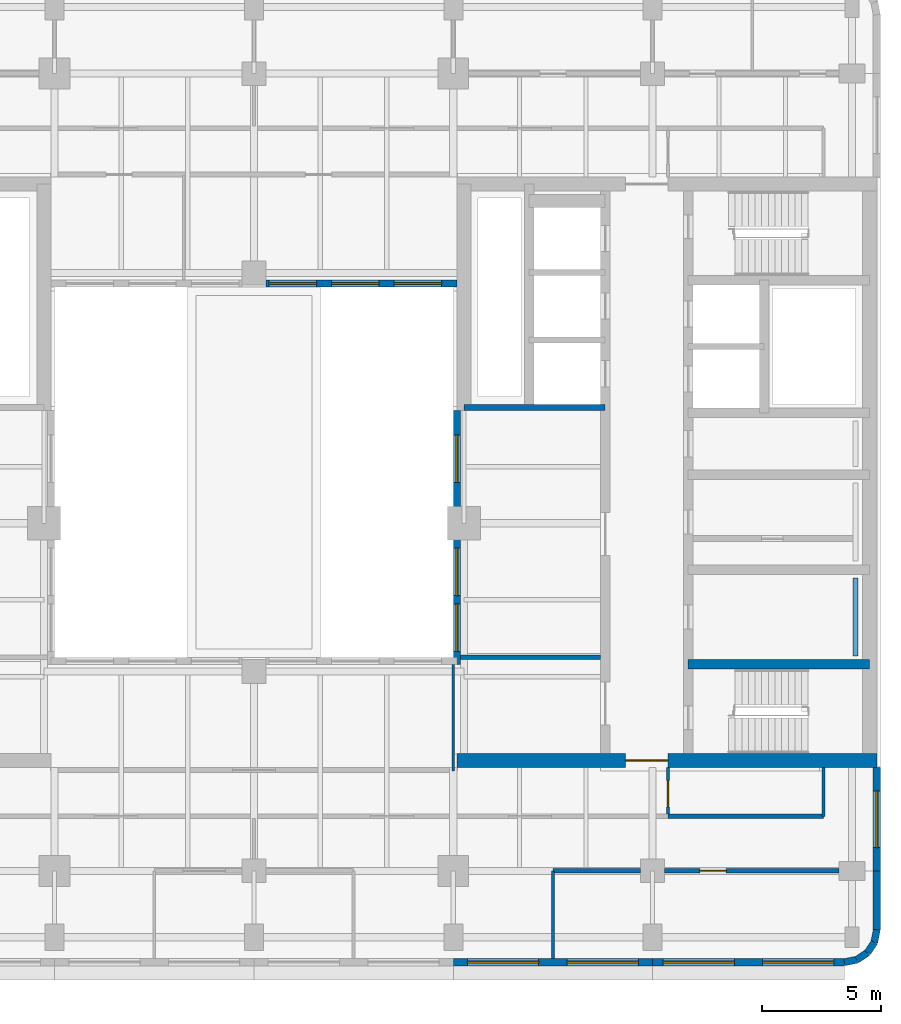
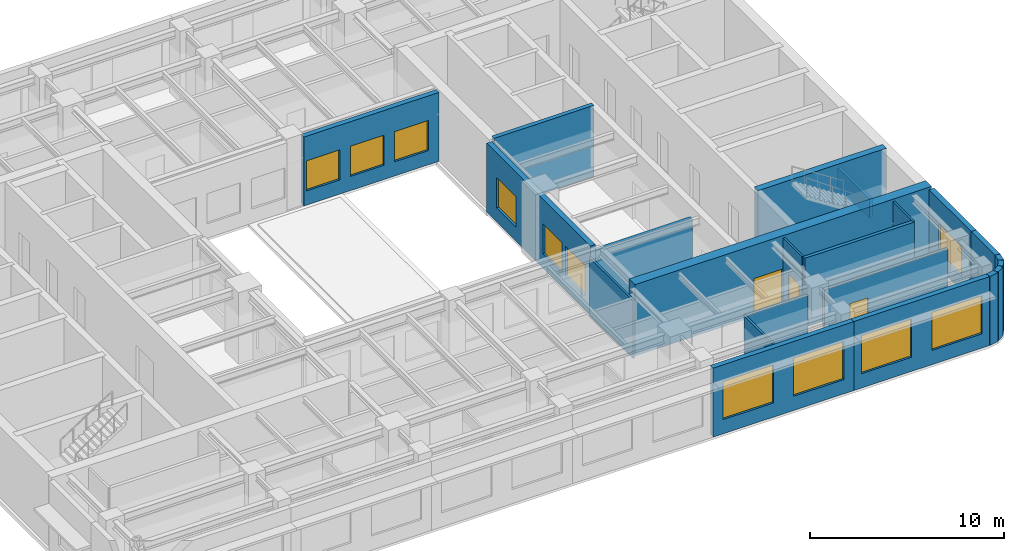
# One storey, part 5 of 11: 22 walls, 11 windows, 3 doors, 14 openings.
"""IFC4 building model written with IfcOpenShell, lengths in metres."""

from ifc_helpers import new_model, si_unit, direction, frame, frame_2d, origin, place, context, subcontext, project, spatial, rectangle, extrude, material, layer, layer_set, type_object, element, fill, save


model = new_model("IFC4")

# Units and contexts
model_context = context("Model", 3, precision=1e-05, world=origin(), true_north=direction((0.0, 1.0)))
body_context = subcontext(model_context, "Body", "Model", "MODEL_VIEW")
ifc_project = project(units=[si_unit("LENGTHUNIT", "METRE"), si_unit("AREAUNIT", "SQUARE_METRE"), si_unit("VOLUMEUNIT", "CUBIC_METRE"), si_unit("PLANEANGLEUNIT", "RADIAN"), si_unit("MASSUNIT", "GRAM", prefix="KILO")], contexts=[model_context])

# Site, building, storey
site_placement = place(None, origin())
site = spatial("IfcSite", under=ifc_project, at=site_placement, CompositionType="ELEMENT")
building_placement = place(site_placement, origin())
building = spatial("IfcBuilding", under=site, at=building_placement, Name="Claustro Exchange Tower", CompositionType="ELEMENT")
storey_placement = place(building_placement, frame((0.0, 0.0, 254.699951171875)))
storey = spatial("IfcBuildingStorey", under=building, at=storey_placement, Name="L58", CompositionType="ELEMENT", Elevation=254.699951171875)

# Walls
ifc_material_1 = material(Name="Laminated glass in aluminium frame", Category="aluminium")
ifc_layer_1 = layer(ifc_material_1, 0.1201171875)
ifc_layer_set_1 = layer_set([ifc_layer_1], Name="Laminated glass in aluminium frame")
wall_type_1 = type_object("IfcWallType", Name="P2 120 glazed partition", PredefinedType="PARTITIONING", material=ifc_layer_set_1)
wall_1_placement = place(storey_placement, frame((33.60009765625, 12.60009765625, 0.0), z_axis=(0.0, 0.0, 1.0), x_axis=(0.0, 1.0, 0.0)))
element("IfcWall", 1, at=wall_1_placement, inside=storey, type_object=wall_type_1, Name="Partition P2 L58", PredefinedType="PARTITIONING", context=body_context, shape_type="SweptSolid", body=[
    extrude(rectangle(XDim=4.501953125, YDim=0.1201171875, at=frame_2d((2.2509765625, 0.0))), origin(), (0.0, 0.0, 1.0), 3.66015625),
])
wall_2_placement = place(storey_placement, frame((37.800048828125, 4.699951171875, 0.0), z_axis=(0.0, 0.0, 1.0), x_axis=(0.0, 1.0, 0.0)))
element("IfcWall", 2, at=wall_2_placement, inside=storey, type_object=wall_type_1, Name="Partition P2 L58", PredefinedType="PARTITIONING", context=body_context, shape_type="SweptSolid", body=[
    extrude(rectangle(XDim=3.699951171875, YDim=0.1201171875, at=frame_2d((1.85009765625, 0.0))), origin(), (0.0, 0.0, 1.0), 3.800048828125),
])

# Wall, opening, door
wall_3_placement = place(storey_placement, frame((42.64990234375, 10.798095703125, 0.0), z_axis=(0.0, 0.0, 1.0), x_axis=(0.0, 1.0, 0.0)))
wall_3 = element("IfcWall", 3, at=wall_3_placement, inside=storey, type_object=wall_type_1, Name="Partition P2 L58", PredefinedType="PARTITIONING", context=body_context, shape_type="SweptSolid", body=[
    extrude(rectangle(XDim=1.953857421875, YDim=0.1201171875, at=frame_2d((0.97705078125, 0.0))), origin(), (0.0, 0.0, 1.0), 4.35009765625),
])
opening_1_placement = place(wall_3_placement, frame((0.302001953125, 0.0, 0.0)))
opening_1 = element("IfcOpeningElement", 4, at=opening_1_placement, cuts=wall_3, Name="Opening D8", PredefinedType="OPENING", context=body_context, shape_type="SweptSolid", body=[
    extrude(rectangle(XDim=1.10009765625, YDim=2.39990234375, at=frame_2d((0.550048828125, 1.199951171875))), frame((0.0, 0.070068359375, 0.0), z_axis=(0.0, -1.0, 0.0), x_axis=(1.0, 0.0, 0.0)), (0.0, 0.0, 1.0), 0.14013671875),
])
ifc_material_2 = material(Name="Timber door, walnut veneer", Category="wood")
door_type_1 = type_object("IfcDoorType", Name="D8 1100 x 2400 executive door", OperationType="SINGLE_SWING_LEFT", PredefinedType="DOOR", material=ifc_material_2)
door_1_placement = place(opening_1_placement, frame((1.10009765625, 0.0, 0.0), z_axis=(0.0, 0.0, 1.0), x_axis=(-1.0, 0.0, 0.0)))
door_1 = element("IfcDoor", 5, at=door_1_placement, inside=storey, type_object=door_type_1, Name="Door D8 L58", OperationType="SINGLE_SWING_LEFT", OverallHeight=2.39990234375, OverallWidth=1.10009765625, PredefinedType="DOOR", context=body_context, shape_type="SweptSolid", body=[
    extrude(rectangle(XDim=1.10009765625, YDim=2.39990234375, at=frame_2d((0.550048828125, 1.199951171875))), frame((0.0, 0.02490234375, 0.0), z_axis=(0.0, -1.0, 0.0), x_axis=(1.0, 0.0, 0.0)), (0.0, 0.0, 1.0), 0.050048828125),
])
fill(opening_1, door_1)

# Walls
wall_4_placement = place(storey_placement, frame((49.199951171875, 10.699951171875, 0.0), z_axis=(0.0, 0.0, 1.0), x_axis=(0.0, 1.0, 0.0)))
element("IfcWall", 6, at=wall_4_placement, inside=storey, type_object=wall_type_1, Name="Partition P2 L58", PredefinedType="PARTITIONING", context=body_context, shape_type="SweptSolid", body=[
    extrude(rectangle(XDim=2.052001953125, YDim=0.1201171875, at=frame_2d((1.02587890625, 0.0))), origin(), (0.0, 0.0, 1.0), 4.35009765625),
])
ifc_material_3 = material(Name="Twin-skin gypsum board on steel studs, mineral wool", Category="steel")
ifc_layer_2 = layer(ifc_material_3, 0.199951171875)
ifc_layer_set_2 = layer_set([ifc_layer_2], Name="Twin-skin gypsum board on steel studs, mineral wool")
wall_type_2 = type_object("IfcWallType", Name="P3 200 acoustic partition", PredefinedType="PARTITIONING", material=ifc_layer_set_2)
wall_5_placement = place(storey_placement, frame((33.89794921875, 17.39990234375, 0.0), z_axis=(0.0, 0.0, 1.0), x_axis=(1.0, 0.0, 0.0)))
element("IfcWall", 7, at=wall_5_placement, inside=storey, type_object=wall_type_2, Name="Partition P3 L58", PredefinedType="PARTITIONING", context=body_context, shape_type="SweptSolid", body=[
    extrude(rectangle(XDim=5.904052734375, YDim=0.199951171875, at=frame_2d((2.9521484375, 0.0))), origin(), (0.0, 0.0, 1.0), 3.800048828125),
])
wall_6_placement = place(storey_placement, frame((37.800048828125, 8.39990234375, 0.0), z_axis=(0.0, 0.0, 1.0), x_axis=(1.0, 0.0, 0.0)))
element("IfcWall", 8, at=wall_6_placement, inside=storey, type_object=wall_type_2, Name="Partition P3 L58", PredefinedType="PARTITIONING", context=body_context, shape_type="SweptSolid", body=[
    extrude(rectangle(XDim=3.700927734375, YDim=0.199951171875, at=frame_2d((1.8505859375, 0.0))), origin(), (0.0, 0.0, 1.0), 3.800048828125),
])

# Wall, opening, door
wall_7_placement = place(storey_placement, frame((42.4990234375, 8.39990234375, 0.0), z_axis=(0.0, 0.0, 1.0), x_axis=(1.0, 0.0, 0.0)))
wall_7 = element("IfcWall", 9, at=wall_7_placement, inside=storey, type_object=wall_type_2, Name="Partition P3 L58", PredefinedType="PARTITIONING", context=body_context, shape_type="SweptSolid", body=[
    extrude(rectangle(XDim=7.35205078125, YDim=0.199951171875, at=frame_2d((3.676025390625, 0.0))), origin(), (0.0, 0.0, 1.0), 3.800048828125),
])
opening_2_placement = place(wall_7_placement, frame((1.5009765625, 0.0, 0.0)))
opening_2 = element("IfcOpeningElement", 10, at=opening_2_placement, cuts=wall_7, Name="Opening D8", PredefinedType="OPENING", context=body_context, shape_type="SweptSolid", body=[
    extrude(rectangle(XDim=1.10009765625, YDim=2.39990234375, at=frame_2d((0.550048828125, 1.199951171875))), frame((0.0, 0.10986328125, 0.0), z_axis=(0.0, -1.0, 0.0), x_axis=(1.0, 0.0, 0.0)), (0.0, 0.0, 1.0), 0.219970703125),
])
door_2_placement = place(opening_2_placement, frame((1.10009765625, 0.0, 0.0), z_axis=(0.0, 0.0, 1.0), x_axis=(-1.0, 0.0, 0.0)))
door_2 = element("IfcDoor", 11, at=door_2_placement, inside=storey, type_object=door_type_1, Name="Door D8 L58", OperationType="SINGLE_SWING_RIGHT", OverallHeight=2.39990234375, OverallWidth=1.10009765625, PredefinedType="DOOR", context=body_context, shape_type="SweptSolid", body=[
    extrude(rectangle(XDim=1.10009765625, YDim=2.39990234375, at=frame_2d((0.550048828125, 1.199951171875))), frame((0.0, 0.02490234375, 0.0), z_axis=(0.0, -1.0, 0.0), x_axis=(1.0, 0.0, 0.0)), (0.0, 0.0, 1.0), 0.050048828125),
])
fill(opening_2, door_2)

# Wall
wall_8_placement = place(storey_placement, frame((42.64794921875, 10.699951171875, 0.0), z_axis=(0.0, 0.0, 1.0), x_axis=(1.0, 0.0, 0.0)))
element("IfcWall", 12, at=wall_8_placement, inside=storey, type_object=wall_type_2, Name="Partition P3 L58", PredefinedType="PARTITIONING", context=body_context, shape_type="SweptSolid", body=[
    extrude(rectangle(XDim=6.552001953125, YDim=0.199951171875, at=frame_2d((3.27587890625, 0.0))), origin(), (0.0, 0.0, 1.0), 4.35009765625),
])

# Wall, openings, windows
ifc_material_4 = material(Name="Concrete HA-40 (C40/50), precast, white cement, acid-etched", Category="concrete")
ifc_layer_3 = layer(ifc_material_4, 0.300048828125)
ifc_layer_set_3 = layer_set([ifc_layer_3], Name="Concrete HA-40 (C40/50), precast, white cement, acid-etched")
wall_type_3 = type_object("IfcWallType", Name="PC1 300 precast concrete pier panel", PredefinedType="SOLIDWALL", material=ifc_layer_set_3)
wall_9_placement = place(storey_placement, frame((50.085205078125, 4.550048828125, 0.0), z_axis=(0.0, 0.0, 1.0), x_axis=(-1.0, 0.0, 0.0)))
wall_9 = element("IfcWall", 13, at=wall_9_placement, inside=storey, type_object=wall_type_3, Name="Precast pier panel PC1 L58", PredefinedType="SOLIDWALL", context=body_context, shape_type="SweptSolid", body=[
    extrude(rectangle(XDim=8.085205078125, YDim=0.300048828125, at=frame_2d((4.04248046875, 0.0))), origin(), (0.0, 0.0, 1.0), 4.35009765625),
])
opening_3_placement = place(wall_9_placement, frame((0.442626953125, 0.0, 0.89990234375)))
opening_3 = element("IfcOpeningElement", 14, at=opening_3_placement, cuts=wall_9, Name="Opening W3", PredefinedType="OPENING", context=body_context, shape_type="SweptSolid", body=[
    extrude(rectangle(XDim=3.0, YDim=2.39990234375, at=frame_2d((1.5, 1.199951171875))), frame((0.0, 0.159912109375, 0.0), z_axis=(0.0, -1.0, 0.0), x_axis=(1.0, 0.0, 0.0)), (0.0, 0.0, 1.0), 0.320068359375),
])
opening_4_placement = place(wall_9_placement, frame((4.642578125, 0.0, 0.89990234375)))
opening_4 = element("IfcOpeningElement", 15, at=opening_4_placement, cuts=wall_9, Name="Opening W3", PredefinedType="OPENING", context=body_context, shape_type="SweptSolid", body=[
    extrude(rectangle(XDim=3.0, YDim=2.39990234375, at=frame_2d((1.5, 1.199951171875))), frame((0.0, 0.159912109375, 0.0), z_axis=(0.0, -1.0, 0.0), x_axis=(1.0, 0.0, 0.0)), (0.0, 0.0, 1.0), 0.320068359375),
])
ifc_material_5 = material(Name="Aluminium frame, clear double glazing", Category="aluminium")
window_type_1 = type_object("IfcWindowType", Name="W3 3000 x 2400 window", PartitioningType="SINGLE_PANEL", PredefinedType="WINDOW", material=ifc_material_5)
window_1_placement = place(opening_3_placement, origin())
window_1 = element("IfcWindow", 16, at=window_1_placement, inside=storey, type_object=window_type_1, Name="Window W3 L58", OverallHeight=2.39990234375, OverallWidth=3.0, PartitioningType="SINGLE_PANEL", PredefinedType="WINDOW", context=body_context, shape_type="SweptSolid", body=[
    extrude(rectangle(XDim=3.0, YDim=2.39990234375, at=frame_2d((1.5, 1.199951171875))), frame((0.0, 0.030029296875, 0.0), z_axis=(0.0, -1.0, 0.0), x_axis=(1.0, 0.0, 0.0)), (0.0, 0.0, 1.0), 0.06005859375),
])
fill(opening_3, window_1)
window_2_placement = place(opening_4_placement, origin())
window_2 = element("IfcWindow", 17, at=window_2_placement, inside=storey, type_object=window_type_1, Name="Window W3 L58", OverallHeight=2.39990234375, OverallWidth=3.0, PartitioningType="SINGLE_PANEL", PredefinedType="WINDOW", context=body_context, shape_type="SweptSolid", body=[
    extrude(rectangle(XDim=3.0, YDim=2.39990234375, at=frame_2d((1.5, 1.199951171875))), frame((0.0, 0.030029296875, 0.0), z_axis=(0.0, -1.0, 0.0), x_axis=(1.0, 0.0, 0.0)), (0.0, 0.0, 1.0), 0.06005859375),
])
fill(opening_4, window_2)

wall_10_placement = place(storey_placement, frame((42.0, 4.550048828125, 0.0), z_axis=(0.0, 0.0, 1.0), x_axis=(-1.0, 0.0, 0.0)))
wall_10 = element("IfcWall", 18, at=wall_10_placement, inside=storey, type_object=wall_type_3, Name="Precast pier panel PC1 L58", PredefinedType="SOLIDWALL", context=body_context, shape_type="SweptSolid", body=[
    extrude(rectangle(XDim=8.39990234375, YDim=0.300048828125, at=frame_2d((4.199951171875, 0.0))), origin(), (0.0, 0.0, 1.0), 4.35009765625),
])
opening_5_placement = place(wall_10_placement, frame((0.60009765625, 0.0, 0.89990234375)))
opening_5 = element("IfcOpeningElement", 19, at=opening_5_placement, cuts=wall_10, Name="Opening W3", PredefinedType="OPENING", context=body_context, shape_type="SweptSolid", body=[
    extrude(rectangle(XDim=3.0, YDim=2.39990234375, at=frame_2d((1.5, 1.199951171875))), frame((0.0, 0.159912109375, 0.0), z_axis=(0.0, -1.0, 0.0), x_axis=(1.0, 0.0, 0.0)), (0.0, 0.0, 1.0), 0.320068359375),
])
opening_6_placement = place(wall_10_placement, frame((4.800048828125, 0.0, 0.89990234375)))
opening_6 = element("IfcOpeningElement", 20, at=opening_6_placement, cuts=wall_10, Name="Opening W3", PredefinedType="OPENING", context=body_context, shape_type="SweptSolid", body=[
    extrude(rectangle(XDim=3.0, YDim=2.39990234375, at=frame_2d((1.5, 1.199951171875))), frame((0.0, 0.159912109375, 0.0), z_axis=(0.0, -1.0, 0.0), x_axis=(1.0, 0.0, 0.0)), (0.0, 0.0, 1.0), 0.320068359375),
])
window_3_placement = place(opening_5_placement, origin())
window_3 = element("IfcWindow", 21, at=window_3_placement, inside=storey, type_object=window_type_1, Name="Window W3 L58", OverallHeight=2.39990234375, OverallWidth=3.0, PartitioningType="SINGLE_PANEL", PredefinedType="WINDOW", context=body_context, shape_type="SweptSolid", body=[
    extrude(rectangle(XDim=3.0, YDim=2.39990234375, at=frame_2d((1.5, 1.199951171875))), frame((0.0, 0.030029296875, 0.0), z_axis=(0.0, -1.0, 0.0), x_axis=(1.0, 0.0, 0.0)), (0.0, 0.0, 1.0), 0.06005859375),
])
fill(opening_5, window_3)
window_4_placement = place(opening_6_placement, origin())
window_4 = element("IfcWindow", 22, at=window_4_placement, inside=storey, type_object=window_type_1, Name="Window W3 L58", OverallHeight=2.39990234375, OverallWidth=3.0, PartitioningType="SINGLE_PANEL", PredefinedType="WINDOW", context=body_context, shape_type="SweptSolid", body=[
    extrude(rectangle(XDim=3.0, YDim=2.39990234375, at=frame_2d((1.5, 1.199951171875))), frame((0.0, 0.030029296875, 0.0), z_axis=(0.0, -1.0, 0.0), x_axis=(1.0, 0.0, 0.0)), (0.0, 0.0, 1.0), 0.06005859375),
])
fill(opening_6, window_4)

# Wall, opening, window
wall_11_placement = place(storey_placement, frame((51.449951171875, 12.75, 0.0), z_axis=(0.0, 0.0, 1.0), x_axis=(0.0, -1.0, 0.0)))
wall_11 = element("IfcWall", 23, at=wall_11_placement, inside=storey, type_object=wall_type_3, Name="Precast pier panel PC1 L58", PredefinedType="SOLIDWALL", context=body_context, shape_type="SweptSolid", body=[
    extrude(rectangle(XDim=4.35009765625, YDim=0.300048828125, at=frame_2d((2.175048828125, 0.0))), origin(), (0.0, 0.0, 1.0), 4.35009765625),
])
opening_7_placement = place(wall_11_placement, frame((0.97509765625, 0.0, 0.89990234375)))
opening_7 = element("IfcOpeningElement", 24, at=opening_7_placement, cuts=wall_11, Name="Opening W2", PredefinedType="OPENING", context=body_context, shape_type="SweptSolid", body=[
    extrude(rectangle(XDim=2.39990234375, YDim=1.89990234375, at=frame_2d((1.199951171875, 0.949951171875))), frame((0.0, 0.159912109375, 0.0), z_axis=(0.0, -1.0, 0.0), x_axis=(1.0, 0.0, 0.0)), (0.0, 0.0, 1.0), 0.320068359375),
])
ifc_material_6 = material(Name="Aluminium frame, clear double glazing", Category="aluminium")
window_type_2 = type_object("IfcWindowType", Name="W2 2400 x 1900 window", PartitioningType="SINGLE_PANEL", PredefinedType="WINDOW", material=ifc_material_6)
window_5_placement = place(opening_7_placement, origin())
window_5 = element("IfcWindow", 25, at=window_5_placement, inside=storey, type_object=window_type_2, Name="Window W2 L58", OverallHeight=1.89990234375, OverallWidth=2.39990234375, PartitioningType="SINGLE_PANEL", PredefinedType="WINDOW", context=body_context, shape_type="SweptSolid", body=[
    extrude(rectangle(XDim=2.39990234375, YDim=1.89990234375, at=frame_2d((1.199951171875, 0.949951171875))), frame((0.0, 0.030029296875, 0.0), z_axis=(0.0, -1.0, 0.0), x_axis=(1.0, 0.0, 0.0)), (0.0, 0.0, 1.0), 0.06005859375),
])
fill(opening_7, window_5)

# Walls
wall_12_placement = place(storey_placement, frame((51.449951171875, 8.39990234375, 0.0), z_axis=(0.0, 0.0, 1.0), x_axis=(0.0, -1.0, 0.0)))
element("IfcWall", 26, at=wall_12_placement, inside=storey, type_object=wall_type_3, Name="Precast pier panel PC1 L58", PredefinedType="SOLIDWALL", context=body_context, shape_type="SweptSolid", body=[
    extrude(rectangle(XDim=2.485107421875, YDim=0.300048828125, at=frame_2d((1.24267578125, 0.0))), origin(), (0.0, 0.0, 1.0), 4.35009765625),
])
wall_13_placement = place(storey_placement, frame((51.449951171875, 5.914794921875, 0.0), z_axis=(0.0, 0.0, 1.0), x_axis=(-0.195073962632, -0.980788534345, 0.0)))
element("IfcWall", 27, at=wall_13_placement, inside=storey, type_object=wall_type_3, Name="Precast pier panel PC1 L58", PredefinedType="SOLIDWALL", context=body_context, shape_type="SweptSolid", body=[
    extrude(rectangle(XDim=0.540771484375, YDim=0.300048828125, at=frame_2d((0.2705078125, 0.0))), origin(), (0.0, 0.0, 1.0), 4.35009765625),
])
for number, where, z_axis, x_axis, name in (
    (28, (51.344482421875, 5.384521484375, 0.0), (0.0, 0.0, 1.0), (-0.555557463938, -0.831478144188, 0.0), "Precast pier panel PC1 L58"),
    (29, (51.052490234375, 4.947509765625, 0.0), (0.0, 0.0, 1.0), (-0.831478144188, -0.555557463938, 0.0), "Precast pier panel PC1 L58"),
):
    element("IfcWall", number, at=place(storey_placement, frame(where, z_axis=z_axis, x_axis=x_axis)), inside=storey, type_object=wall_type_3, Name=name, PredefinedType="SOLIDWALL", context=body_context, shape_type="SweptSolid", body=[
        extrude(rectangle(XDim=0.525634765625, YDim=0.300048828125, at=frame_2d((0.2626953125, 0.0))), origin(), (0.0, 0.0, 1.0), 4.35009765625),
    ])
wall_14_placement = place(storey_placement, frame((50.615478515625, 4.655517578125, 0.0), z_axis=(0.0, 0.0, 1.0), x_axis=(-0.980788534345, -0.195073962632, 0.0)))
element("IfcWall", 30, at=wall_14_placement, inside=storey, type_object=wall_type_3, Name="Precast pier panel PC1 L58", PredefinedType="SOLIDWALL", context=body_context, shape_type="SweptSolid", body=[
    extrude(rectangle(XDim=0.540771484375, YDim=0.300048828125, at=frame_2d((0.2705078125, 0.0))), origin(), (0.0, 0.0, 1.0), 4.35009765625),
])

# Wall, openings, windows
wall_15_placement = place(storey_placement, frame((33.75, 17.10009765625, 0.0), z_axis=(0.0, 0.0, 1.0), x_axis=(0.0, 1.0, 0.0)))
wall_15 = element("IfcWall", 31, at=wall_15_placement, inside=storey, type_object=wall_type_3, Name="Precast pier panel PC1 L58", PredefinedType="SOLIDWALL", context=body_context, shape_type="SweptSolid", body=[
    extrude(rectangle(XDim=10.699951171875, YDim=0.300048828125, at=frame_2d((5.35009765625, 0.0))), origin(), (0.0, 0.0, 1.0), 4.35009765625),
])
opening_8_placement = place(wall_15_placement, frame((0.550048828125, 0.0, 0.89990234375)))
opening_8 = element("IfcOpeningElement", 32, at=opening_8_placement, cuts=wall_15, Name="Opening W4", PredefinedType="OPENING", context=body_context, shape_type="SweptSolid", body=[
    extrude(rectangle(XDim=2.0, YDim=1.89990234375, at=frame_2d((1.0, 0.949951171875))), frame((0.0, 0.159912109375, 0.0), z_axis=(0.0, -1.0, 0.0), x_axis=(1.0, 0.0, 0.0)), (0.0, 0.0, 1.0), 0.320068359375),
])
opening_9_placement = place(wall_15_placement, frame((2.89990234375, 0.0, 0.89990234375)))
opening_9 = element("IfcOpeningElement", 33, at=opening_9_placement, cuts=wall_15, Name="Opening W4", PredefinedType="OPENING", context=body_context, shape_type="SweptSolid", body=[
    extrude(rectangle(XDim=2.0, YDim=1.89990234375, at=frame_2d((1.0, 0.949951171875))), frame((0.0, 0.159912109375, 0.0), z_axis=(0.0, -1.0, 0.0), x_axis=(1.0, 0.0, 0.0)), (0.0, 0.0, 1.0), 0.320068359375),
])
opening_10_placement = place(wall_15_placement, frame((7.675048828125, 0.0, 0.89990234375)))
opening_10 = element("IfcOpeningElement", 34, at=opening_10_placement, cuts=wall_15, Name="Opening W4", PredefinedType="OPENING", context=body_context, shape_type="SweptSolid", body=[
    extrude(rectangle(XDim=2.0, YDim=1.89990234375, at=frame_2d((1.0, 0.949951171875))), frame((0.0, 0.159912109375, 0.0), z_axis=(0.0, -1.0, 0.0), x_axis=(1.0, 0.0, 0.0)), (0.0, 0.0, 1.0), 0.320068359375),
])
ifc_material_7 = material(Name="Aluminium frame, clear double glazing", Category="aluminium")
window_type_3 = type_object("IfcWindowType", Name="W4 2000 x 1900 light well window", PartitioningType="SINGLE_PANEL", PredefinedType="WINDOW", material=ifc_material_7)
window_6_placement = place(opening_8_placement, origin())
window_6 = element("IfcWindow", 35, at=window_6_placement, inside=storey, type_object=window_type_3, Name="Window W4 L58", OverallHeight=1.89990234375, OverallWidth=2.0, PartitioningType="SINGLE_PANEL", PredefinedType="WINDOW", context=body_context, shape_type="SweptSolid", body=[
    extrude(rectangle(XDim=2.0, YDim=1.89990234375, at=frame_2d((1.0, 0.949951171875))), frame((0.0, 0.030029296875, 0.0), z_axis=(0.0, -1.0, 0.0), x_axis=(1.0, 0.0, 0.0)), (0.0, 0.0, 1.0), 0.06005859375),
])
fill(opening_8, window_6)
window_7_placement = place(opening_9_placement, origin())
window_7 = element("IfcWindow", 36, at=window_7_placement, inside=storey, type_object=window_type_3, Name="Window W4 L58", OverallHeight=1.89990234375, OverallWidth=2.0, PartitioningType="SINGLE_PANEL", PredefinedType="WINDOW", context=body_context, shape_type="SweptSolid", body=[
    extrude(rectangle(XDim=2.0, YDim=1.89990234375, at=frame_2d((1.0, 0.949951171875))), frame((0.0, 0.030029296875, 0.0), z_axis=(0.0, -1.0, 0.0), x_axis=(1.0, 0.0, 0.0)), (0.0, 0.0, 1.0), 0.06005859375),
])
fill(opening_9, window_7)
window_8_placement = place(opening_10_placement, origin())
window_8 = element("IfcWindow", 37, at=window_8_placement, inside=storey, type_object=window_type_3, Name="Window W4 L58", OverallHeight=1.89990234375, OverallWidth=2.0, PartitioningType="SINGLE_PANEL", PredefinedType="WINDOW", context=body_context, shape_type="SweptSolid", body=[
    extrude(rectangle(XDim=2.0, YDim=1.89990234375, at=frame_2d((1.0, 0.949951171875))), frame((0.0, 0.030029296875, 0.0), z_axis=(0.0, -1.0, 0.0), x_axis=(1.0, 0.0, 0.0)), (0.0, 0.0, 1.0), 0.06005859375),
])
fill(opening_10, window_8)

wall_16_placement = place(storey_placement, frame((25.699951171875, 33.14990234375, 0.0), z_axis=(0.0, 0.0, 1.0), x_axis=(1.0, 0.0, 0.0)))
wall_16 = element("IfcWall", 38, at=wall_16_placement, inside=storey, type_object=wall_type_3, Name="Precast pier panel PC1 L58", PredefinedType="SOLIDWALL", context=body_context, shape_type="SweptSolid", body=[
    extrude(rectangle(XDim=8.050048828125, YDim=0.300048828125, at=frame_2d((4.02490234375, 0.0))), origin(), (0.0, 0.0, 1.0), 4.35009765625),
])
opening_11_placement = place(wall_16_placement, frame((0.137451171875, 0.0, 0.89990234375)))
opening_11 = element("IfcOpeningElement", 39, at=opening_11_placement, cuts=wall_16, Name="Opening W4", PredefinedType="OPENING", context=body_context, shape_type="SweptSolid", body=[
    extrude(rectangle(XDim=2.0, YDim=1.89990234375, at=frame_2d((1.0, 0.949951171875))), frame((0.0, 0.159912109375, 0.0), z_axis=(0.0, -1.0, 0.0), x_axis=(1.0, 0.0, 0.0)), (0.0, 0.0, 1.0), 0.320068359375),
])
opening_12_placement = place(wall_16_placement, frame((2.77490234375, 0.0, 0.89990234375)))
opening_12 = element("IfcOpeningElement", 40, at=opening_12_placement, cuts=wall_16, Name="Opening W4", PredefinedType="OPENING", context=body_context, shape_type="SweptSolid", body=[
    extrude(rectangle(XDim=2.0, YDim=1.89990234375, at=frame_2d((1.0, 0.949951171875))), frame((0.0, 0.159912109375, 0.0), z_axis=(0.0, -1.0, 0.0), x_axis=(1.0, 0.0, 0.0)), (0.0, 0.0, 1.0), 0.320068359375),
])
opening_13_placement = place(wall_16_placement, frame((5.41259765625, 0.0, 0.89990234375)))
opening_13 = element("IfcOpeningElement", 41, at=opening_13_placement, cuts=wall_16, Name="Opening W4", PredefinedType="OPENING", context=body_context, shape_type="SweptSolid", body=[
    extrude(rectangle(XDim=2.0, YDim=1.89990234375, at=frame_2d((1.0, 0.949951171875))), frame((0.0, 0.159912109375, 0.0), z_axis=(0.0, -1.0, 0.0), x_axis=(1.0, 0.0, 0.0)), (0.0, 0.0, 1.0), 0.320068359375),
])
window_9_placement = place(opening_11_placement, origin())
window_9 = element("IfcWindow", 42, at=window_9_placement, inside=storey, type_object=window_type_3, Name="Window W4 L58", OverallHeight=1.89990234375, OverallWidth=2.0, PartitioningType="SINGLE_PANEL", PredefinedType="WINDOW", context=body_context, shape_type="SweptSolid", body=[
    extrude(rectangle(XDim=2.0, YDim=1.89990234375, at=frame_2d((1.0, 0.949951171875))), frame((0.0, 0.030029296875, 0.0), z_axis=(0.0, -1.0, 0.0), x_axis=(1.0, 0.0, 0.0)), (0.0, 0.0, 1.0), 0.06005859375),
])
fill(opening_11, window_9)
window_10_placement = place(opening_12_placement, origin())
window_10 = element("IfcWindow", 43, at=window_10_placement, inside=storey, type_object=window_type_3, Name="Window W4 L58", OverallHeight=1.89990234375, OverallWidth=2.0, PartitioningType="SINGLE_PANEL", PredefinedType="WINDOW", context=body_context, shape_type="SweptSolid", body=[
    extrude(rectangle(XDim=2.0, YDim=1.89990234375, at=frame_2d((1.0, 0.949951171875))), frame((0.0, 0.030029296875, 0.0), z_axis=(0.0, -1.0, 0.0), x_axis=(1.0, 0.0, 0.0)), (0.0, 0.0, 1.0), 0.06005859375),
])
fill(opening_12, window_10)
window_11_placement = place(opening_13_placement, origin())
window_11 = element("IfcWindow", 44, at=window_11_placement, inside=storey, type_object=window_type_3, Name="Window W4 L58", OverallHeight=1.89990234375, OverallWidth=2.0, PartitioningType="SINGLE_PANEL", PredefinedType="WINDOW", context=body_context, shape_type="SweptSolid", body=[
    extrude(rectangle(XDim=2.0, YDim=1.89990234375, at=frame_2d((1.0, 0.949951171875))), frame((0.0, 0.030029296875, 0.0), z_axis=(0.0, -1.0, 0.0), x_axis=(1.0, 0.0, 0.0)), (0.0, 0.0, 1.0), 0.06005859375),
])
fill(opening_13, window_11)

# Wall
ifc_material_8 = material(Name="Gypsum board on steel studs, tiled", Category="steel")
ifc_layer_4 = layer(ifc_material_8, 0.199951171875)
ifc_layer_set_4 = layer_set([ifc_layer_4], Name="Gypsum board on steel studs, tiled")
wall_type_4 = type_object("IfcWallType", Name="PW1 200 WC duct wall", PredefinedType="PLUMBINGWALL", material=ifc_layer_set_4)
wall_17_placement = place(storey_placement, frame((50.550048828125, 17.449951171875, 0.0), z_axis=(0.0, 0.0, 1.0), x_axis=(0.0, 1.0, 0.0)))
element("IfcWall", 45, at=wall_17_placement, inside=storey, type_object=wall_type_4, Name="WC duct wall PW1 L58", PredefinedType="PLUMBINGWALL", context=body_context, shape_type="SweptSolid", body=[
    extrude(rectangle(XDim=3.300048828125, YDim=0.199951171875, at=frame_2d((1.64990234375, 0.0))), origin(), (0.0, 0.0, 1.0), 1.199951171875),
])

# Wall, opening, door
ifc_material_9 = material(Name="Concrete HA-50 (C50/60)", Category="concrete")
ifc_layer_5 = layer(ifc_material_9, 0.60009765625)
ifc_layer_set_5 = layer_set([ifc_layer_5], Name="Concrete HA-50 (C50/60)")
wall_type_5 = type_object("IfcWallType", Name="SW3 600 core shear wall", PredefinedType="SHEAR", material=ifc_layer_set_5)
wall_18_placement = place(storey_placement, frame((33.75, 13.050048828125, 0.0), z_axis=(0.0, 0.0, 1.0), x_axis=(1.0, 0.0, 0.0)))
wall_18 = element("IfcWall", 46, at=wall_18_placement, inside=storey, type_object=wall_type_5, Name="Core wall SW3 E core S face L58", PredefinedType="SHEAR", context=body_context, shape_type="SweptSolid", body=[
    extrude(rectangle(XDim=17.699951171875, YDim=0.60009765625, at=frame_2d((8.85009765625, 0.0))), origin(), (0.0, 0.0, 1.0), 4.5),
])
opening_14_placement = place(wall_18_placement, frame((7.10009765625, 0.0, 0.0)))
opening_14 = element("IfcOpeningElement", 47, at=opening_14_placement, cuts=wall_18, Name="Opening D3", PredefinedType="OPENING", context=body_context, shape_type="SweptSolid", body=[
    extrude(rectangle(XDim=1.800048828125, YDim=2.39990234375, at=frame_2d((0.89990234375, 1.199951171875))), frame((0.0, 0.31005859375, 0.0), z_axis=(0.0, -1.0, 0.0), x_axis=(1.0, 0.0, 0.0)), (0.0, 0.0, 1.0), 0.6201171875),
])
ifc_material_10 = material(Name="Steel fire door, painted", Category="steel")
door_type_2 = type_object("IfcDoorType", Name="D3 1800 x 2400 fire-rated lobby double door", OperationType="DOUBLE_DOOR_SINGLE_SWING", PredefinedType="DOOR", material=ifc_material_10)
door_3_placement = place(opening_14_placement, origin())
door_3 = element("IfcDoor", 48, at=door_3_placement, inside=storey, type_object=door_type_2, Name="Lift lobby door D3 L58", OperationType="DOUBLE_DOOR_SINGLE_SWING", OverallHeight=2.39990234375, OverallWidth=1.800048828125, PredefinedType="DOOR", context=body_context, shape_type="SweptSolid", body=[
    extrude(rectangle(XDim=1.800048828125, YDim=2.39990234375, at=frame_2d((0.89990234375, 1.199951171875))), frame((0.0, 0.02490234375, 0.0), z_axis=(0.0, -1.0, 0.0), x_axis=(1.0, 0.0, 0.0)), (0.0, 0.0, 1.0), 0.050048828125),
])
fill(opening_14, door_3)

# Walls
ifc_material_11 = material(Name="Concrete HA-50 (C50/60)", Category="concrete")
ifc_layer_6 = layer(ifc_material_11, 0.39990234375)
ifc_layer_set_6 = layer_set([ifc_layer_6], Name="Concrete HA-50 (C50/60)")
wall_type_6 = type_object("IfcWallType", Name="SW4 400 internal core wall", PredefinedType="SHEAR", material=ifc_layer_set_6)
wall_19_placement = place(storey_placement, frame((51.14990234375, 17.10009765625, 0.0), z_axis=(0.0, 0.0, 1.0), x_axis=(-1.0, 0.0, 0.0)))
element("IfcWall", 49, at=wall_19_placement, inside=storey, type_object=wall_type_6, Name="Internal core wall SW4 E core L58", PredefinedType="SHEAR", context=body_context, shape_type="SweptSolid", body=[
    extrude(rectangle(XDim=7.64990234375, YDim=0.39990234375, at=frame_2d((3.824951171875, 0.0))), origin(), (0.0, 0.0, 1.0), 4.5),
])
ifc_material_12 = material(Name="Concrete HA-50 (C50/60)", Category="concrete")
ifc_layer_7 = layer(ifc_material_12, 0.25)
ifc_layer_set_7 = layer_set([ifc_layer_7], Name="Concrete HA-50 (C50/60)")
wall_type_7 = type_object("IfcWallType", Name="SW5 250 lift shaft divider wall", PredefinedType="SHEAR", material=ifc_layer_set_7)
wall_20_placement = place(storey_placement, frame((40.0, 27.925048828125, 0.0), z_axis=(0.0, 0.0, 1.0), x_axis=(-1.0, 0.0, 0.0)))
element("IfcWall", 50, at=wall_20_placement, inside=storey, type_object=wall_type_7, Name="Core step wall E core L58", PredefinedType="SHEAR", context=body_context, shape_type="SweptSolid", body=[
    extrude(rectangle(XDim=5.949951171875, YDim=0.25, at=frame_2d((2.97509765625, 0.0))), origin(), (0.0, 0.0, 1.0), 4.5),
])

save(model, "model.ifc")
